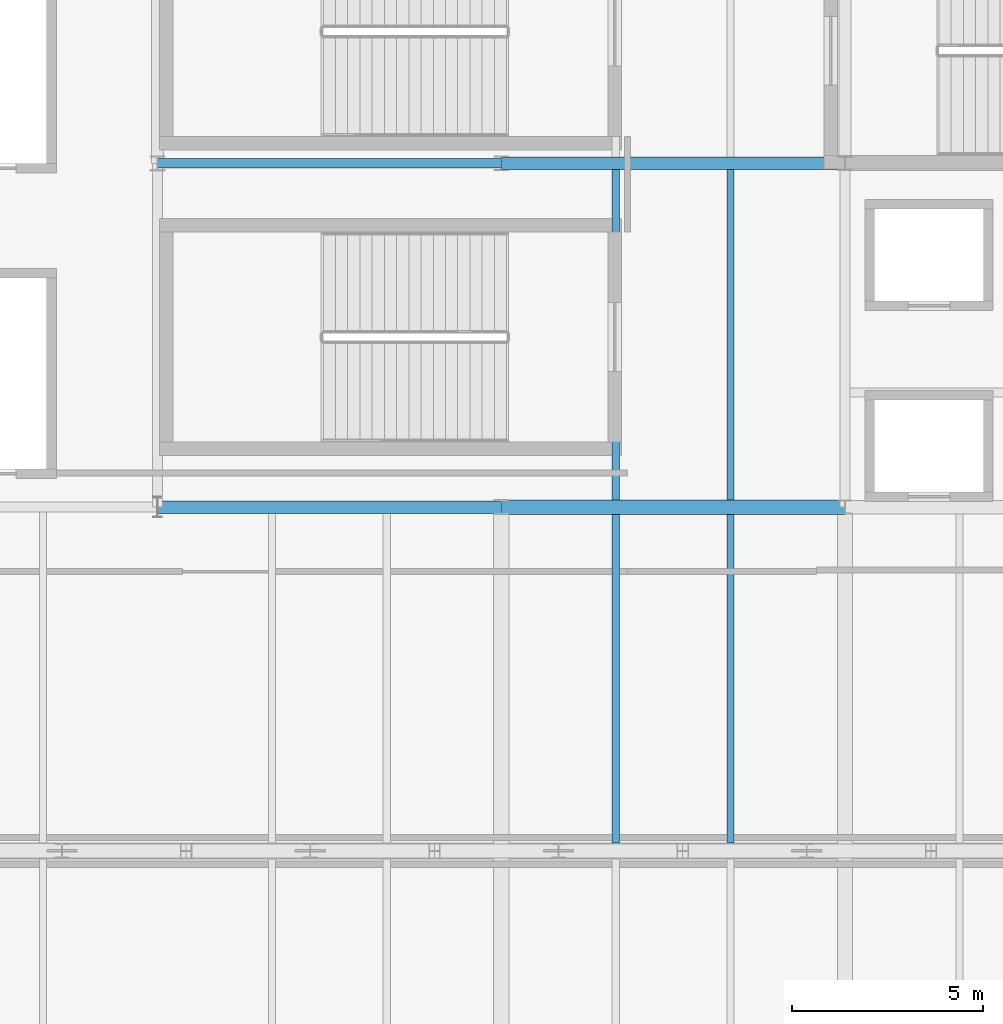
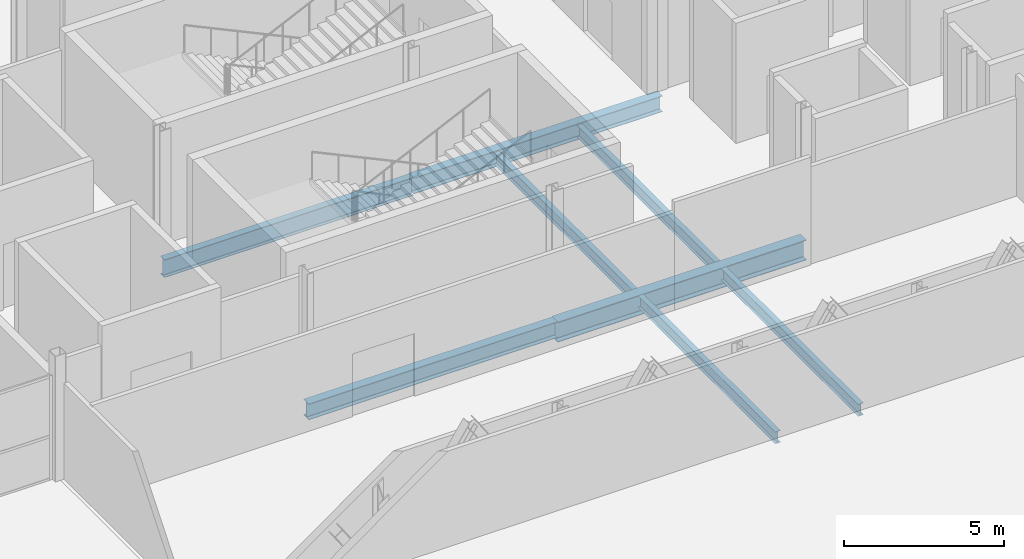
# One storey, part 138 of 224: 8 beams.
"""IFC4 building model written with IfcOpenShell, lengths in metres."""

from ifc_helpers import new_model, si_unit, direction, frame, origin, origin_2d, place, context, subcontext, project, spatial, i_section, extrude, material, material_profile, profile_set, type_object, element, save


model = new_model("IFC4")

# Units and contexts
model_context = context("Model", 3, precision=1e-05, world=origin(), true_north=direction((0.0, 1.0)))
body_context = subcontext(model_context, "Body", "Model", "MODEL_VIEW")
ifc_project = project(units=[si_unit("LENGTHUNIT", "METRE"), si_unit("AREAUNIT", "SQUARE_METRE"), si_unit("VOLUMEUNIT", "CUBIC_METRE"), si_unit("PLANEANGLEUNIT", "RADIAN"), si_unit("MASSUNIT", "GRAM", prefix="KILO")], contexts=[model_context])

# Site, building, storey
site_placement = place(None, origin())
site = spatial("IfcSite", under=ifc_project, at=site_placement, CompositionType="ELEMENT")
building_placement = place(site_placement, origin())
building = spatial("IfcBuilding", under=site, at=building_placement, Name="Qamarlyn Nura Convention Centre", CompositionType="ELEMENT")
storey_placement = place(building_placement, frame((0.0, 0.0, 10.800048828125)))
storey = spatial("IfcBuildingStorey", under=building, at=storey_placement, Name="L02", CompositionType="ELEMENT", Elevation=10.800048828125)

# Beams
ifc_material = material(Name="Steel ASTM A992", Category="steel")
ifc_material_profile_1 = material_profile(ifc_material, i_section(OverallWidth=0.323974609375, OverallDepth=0.611083984375, WebThickness=0.0126953125, FlangeThickness=0.01904296875, FilletRadius=0.01611328125, at=origin_2d()), Name="W610X155")
ifc_profile_set_1 = profile_set([ifc_material_profile_1], Name="Steel ASTM A992")
beam_type_1 = type_object("IfcBeamType", Name="BM-GIRD-610", PredefinedType="BEAM", material=ifc_profile_set_1)
for number, where, z_axis, x_axis, name in (
    (1, (162.0, 54.0, -0.5654296875), (1.0, 0.0, 0.0), (0.0, 1.0, 0.0), "L02 girder G 14-15"),
    (2, (171.0, 63.0, -0.525634765625), (1.0, 0.0, 0.0), (0.0, 1.0, 0.0), "L02 girder H 15-16"),
):
    element("IfcBeam", number, at=place(storey_placement, frame(where, z_axis=z_axis, x_axis=x_axis)), inside=storey, type_object=beam_type_1, Name=name, PredefinedType="BEAM", context=body_context, shape_type="SweptSolid", body=[
        extrude(i_section(OverallWidth=0.323974609375, OverallDepth=0.611083984375, WebThickness=0.0126953125, FlangeThickness=0.01904296875, FilletRadius=0.01611328125, at=origin_2d()), origin(), (0.0, 0.0, 1.0), 9.0),
    ])
ifc_material_profile_2 = material_profile(ifc_material, i_section(OverallWidth=0.25390625, OverallDepth=0.68408203125, WebThickness=0.012451171875, FlangeThickness=0.01904296875, FilletRadius=0.01806640625, at=origin_2d()), Name="W690X140")
ifc_profile_set_2 = profile_set([ifc_material_profile_2], Name="Steel ASTM A992")
beam_type_2 = type_object("IfcBeamType", Name="BM-GIRD-690B", PredefinedType="BEAM", material=ifc_profile_set_2)
beam_1_placement = place(storey_placement, frame((162.0, 63.0, -0.56201171875), z_axis=(1.0, 0.0, 0.0), x_axis=(0.0, 1.0, 0.0)))
element("IfcBeam", 3, at=beam_1_placement, inside=storey, type_object=beam_type_2, Name="L02 girder H 14-15", PredefinedType="BEAM", context=body_context, shape_type="SweptSolid", body=[
    extrude(i_section(OverallWidth=0.25390625, OverallDepth=0.68408203125, WebThickness=0.012451171875, FlangeThickness=0.01904296875, FilletRadius=0.01806640625, at=origin_2d()), origin(), (0.0, 0.0, 1.0), 9.0),
])
ifc_material_profile_3 = material_profile(ifc_material, i_section(OverallWidth=0.381103515625, OverallDepth=0.77294921875, WebThickness=0.0166015625, FlangeThickness=0.027587890625, FilletRadius=0.02001953125, at=origin_2d()), Name="W760X257")
ifc_profile_set_3 = profile_set([ifc_material_profile_3], Name="Steel ASTM A992")
beam_type_3 = type_object("IfcBeamType", Name="BM-GIRD-760", PredefinedType="BEAM", material=ifc_profile_set_3)
beam_2_placement = place(storey_placement, frame((171.0, 54.0, -0.646484375), z_axis=(1.0, 0.0, 0.0), x_axis=(0.0, 1.0, 0.0)))
element("IfcBeam", 4, at=beam_2_placement, inside=storey, type_object=beam_type_3, Name="L02 girder G 15-16", PredefinedType="BEAM", context=body_context, shape_type="SweptSolid", body=[
    extrude(i_section(OverallWidth=0.381103515625, OverallDepth=0.77294921875, WebThickness=0.0166015625, FlangeThickness=0.027587890625, FilletRadius=0.02001953125, at=origin_2d()), origin(), (0.0, 0.0, 1.0), 9.0),
])
ifc_material_profile_4 = material_profile(ifc_material, i_section(OverallWidth=0.18994140625, OverallDepth=0.45703125, WebThickness=0.009033203125, FlangeThickness=0.014404296875, FilletRadius=0.012939453125, at=origin_2d()), Name="W460X74")
ifc_profile_set_4 = profile_set([ifc_material_profile_4], Name="Steel ASTM A992")
beam_type_4 = type_object("IfcBeamType", Name="BM-JOIST-460", PredefinedType="JOIST", material=ifc_profile_set_4)
for number, where, z_axis, x_axis, name in (
    (5, (174.0, 45.208984375, -0.488525390625), (0.0, 1.0, 0.0), (-1.0, 0.0, 0.0), "L02 secondary joist 15-16/F-G-25"),
    (6, (177.0, 45.208984375, -0.488525390625), (0.0, 1.0, 0.0), (-1.0, 0.0, 0.0), "L02 secondary joist 15-16/F-G-26"),
):
    element("IfcBeam", number, at=place(storey_placement, frame(where, z_axis=z_axis, x_axis=x_axis)), inside=storey, type_object=beam_type_4, Name=name, PredefinedType="JOIST", context=body_context, shape_type="SweptSolid", body=[
        extrude(i_section(OverallWidth=0.18994140625, OverallDepth=0.45703125, WebThickness=0.009033203125, FlangeThickness=0.014404296875, FilletRadius=0.012939453125, at=origin_2d()), origin(), (0.0, 0.0, 1.0), 8.6005859375),
    ])
for number, where, z_axis, x_axis, name in (
    (7, (174.0, 54.1904296875, -0.488525390625), (0.0, 1.0, 0.0), (-1.0, 0.0, 0.0), "L02 secondary joist 15-16/G-H-27"),
    (8, (177.0, 54.1904296875, -0.488525390625), (0.0, 1.0, 0.0), (-1.0, 0.0, 0.0), "L02 secondary joist 15-16/G-H-28"),
):
    element("IfcBeam", number, at=place(storey_placement, frame(where, z_axis=z_axis, x_axis=x_axis)), inside=storey, type_object=beam_type_4, Name=name, PredefinedType="JOIST", context=body_context, shape_type="SweptSolid", body=[
        extrude(i_section(OverallWidth=0.18994140625, OverallDepth=0.45703125, WebThickness=0.009033203125, FlangeThickness=0.014404296875, FilletRadius=0.012939453125, at=origin_2d()), origin(), (0.0, 0.0, 1.0), 8.6474609375),
    ])

save(model, "model.ifc")
